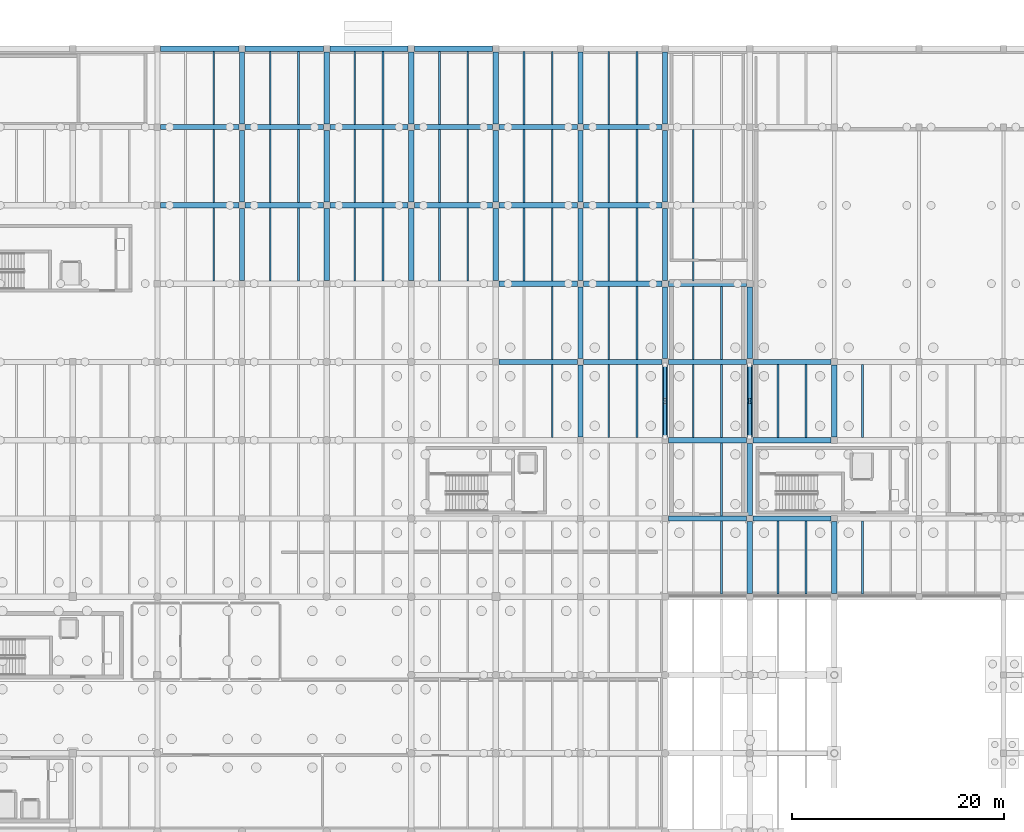
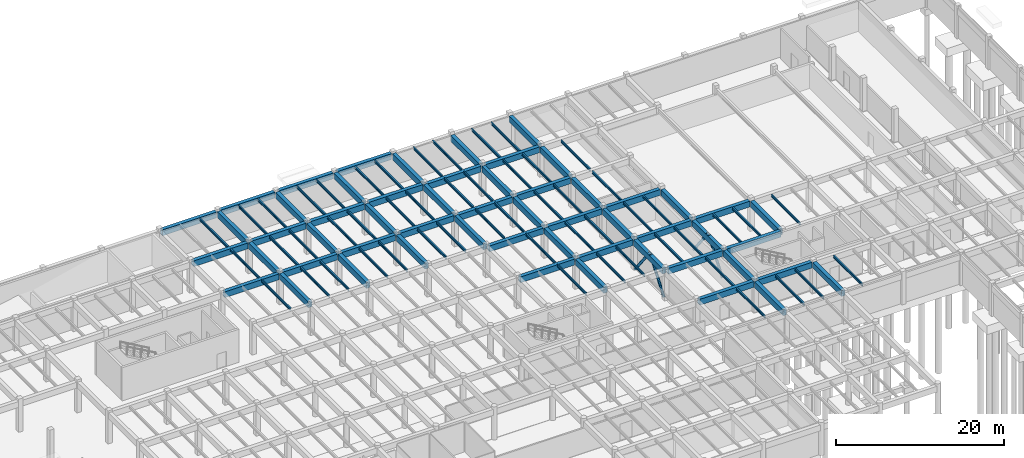
# One storey, part 13 of 40: 108 beams, 4 members.
"""IFC4 building model written with IfcOpenShell, lengths in metres."""

from ifc_helpers import new_model, si_unit, direction, frame, origin, origin_2d, place, context, subcontext, project, spatial, rectangle, hollow_circle, i_section, extrude, material, material_profile, profile_set, type_object, element, save


model = new_model("IFC4")

# Units and contexts
model_context = context("Model", 3, precision=1e-05, world=origin(), true_north=direction((0.0, 1.0)))
body_context = subcontext(model_context, "Body", "Model", "MODEL_VIEW")
ifc_project = project(units=[si_unit("LENGTHUNIT", "METRE"), si_unit("AREAUNIT", "SQUARE_METRE"), si_unit("VOLUMEUNIT", "CUBIC_METRE"), si_unit("PLANEANGLEUNIT", "RADIAN"), si_unit("MASSUNIT", "GRAM", prefix="KILO")], contexts=[model_context])

# Site, building, storey
site_placement = place(None, origin())
site = spatial("IfcSite", under=ifc_project, at=site_placement, CompositionType="ELEMENT")
building_placement = place(site_placement, origin())
building = spatial("IfcBuilding", under=site, at=building_placement, Name="Valkorina Park Police Headquarters", CompositionType="ELEMENT")
storey_placement = place(building_placement, frame((0.0, 0.0, -4.800048828125)))
storey = spatial("IfcBuildingStorey", under=building, at=storey_placement, Name="B01", CompositionType="ELEMENT", Elevation=-4.800048828125)

# Beams
ifc_material_1 = material(Name="Concrete C40/50", Category="concrete")
ifc_material_profile_1 = material_profile(ifc_material_1, rectangle(XDim=0.5, YDim=0.85009765625, at=origin_2d()), Name="RC BEAM 500x850")
ifc_profile_set_1 = profile_set([ifc_material_profile_1], Name="Concrete C40/50")
beam_type_1 = type_object("IfcBeamType", Name="BM-RC-500x850-EXT", PredefinedType="SPANDREL", material=ifc_profile_set_1)
for number, where, z_axis, x_axis, name in (
    (1, (57.10009765625, 111.0, 4.025146484375), (1.0, 0.0, 0.0), (0.0, 1.0, 0.0), "B01 Framing Beam 0198"),
    (2, (65.10009765625, 111.0, 4.094970703125), (1.0, 0.0, 0.0), (0.0, 1.0, 0.0), "B01 Framing Beam 0199"),
    (3, (73.10009765625, 111.0, 4.094970703125), (1.0, 0.0, 0.0), (0.0, 1.0, 0.0), "B01 Framing Beam 0200"),
    (4, (81.10009765625, 111.0, 4.094970703125), (1.0, 0.0, 0.0), (0.0, 1.0, 0.0), "B01 Framing Beam 0201"),
):
    element("IfcBeam", number, at=place(storey_placement, frame(where, z_axis=z_axis, x_axis=x_axis)), inside=storey, type_object=beam_type_1, Name=name, PredefinedType="SPANDREL", context=body_context, shape_type="SweptSolid", body=[
        extrude(rectangle(XDim=0.5, YDim=0.85009765625, at=origin_2d()), origin(), (0.0, 0.0, 1.0), 7.39990234375),
    ])
ifc_material_profile_2 = material_profile(ifc_material_1, rectangle(XDim=0.5, YDim=0.85009765625, at=origin_2d()), Name="RC BEAM 500x850")
ifc_profile_set_2 = profile_set([ifc_material_profile_2], Name="Concrete C40/50")
beam_type_2 = type_object("IfcBeamType", Name="BM-RC-500x850-INT", PredefinedType="BEAM", material=ifc_profile_set_2)
for number, where, z_axis, x_axis, name in (
    (5, (105.10009765625, 66.60009765625, 4.074951171875), (1.0, 0.0, 0.0), (0.0, 1.0, 0.0), "B01 Framing Beam 0112"),
    (6, (113.10009765625, 66.60009765625, 4.074951171875), (1.0, 0.0, 0.0), (0.0, 1.0, 0.0), "B01 Framing Beam 0113"),
    (7, (105.10009765625, 74.0, 4.074951171875), (1.0, 0.0, 0.0), (0.0, 1.0, 0.0), "B01 Framing Beam 0128"),
    (8, (113.10009765625, 74.0, 4.074951171875), (1.0, 0.0, 0.0), (0.0, 1.0, 0.0), "B01 Framing Beam 0129"),
    (9, (89.10009765625, 81.39990234375, 3.955078125), (1.0, 0.0, 0.0), (0.0, 1.0, 0.0), "B01 Framing Beam 0142"),
    (10, (97.10009765625, 81.39990234375, 3.955078125), (1.0, 0.0, 0.0), (0.0, 1.0, 0.0), "B01 Framing Beam 0143"),
    (11, (105.10009765625, 81.39990234375, 3.955078125), (1.0, 0.0, 0.0), (0.0, 1.0, 0.0), "B01 Framing Beam 0144"),
    (12, (113.10009765625, 81.39990234375, 3.955078125), (1.0, 0.0, 0.0), (0.0, 1.0, 0.0), "B01 Framing Beam 0145"),
    (13, (89.10009765625, 88.800048828125, 3.955078125), (1.0, 0.0, 0.0), (0.0, 1.0, 0.0), "B01 Framing Beam 0159"),
    (14, (97.10009765625, 88.800048828125, 3.955078125), (1.0, 0.0, 0.0), (0.0, 1.0, 0.0), "B01 Framing Beam 0160"),
    (15, (105.10009765625, 88.800048828125, 3.955078125), (1.0, 0.0, 0.0), (0.0, 1.0, 0.0), "B01 Framing Beam 0161"),
    (16, (57.10009765625, 96.199951171875, 4.025146484375), (1.0, 0.0, 0.0), (0.0, 1.0, 0.0), "B01 Framing Beam 0169"),
    (17, (65.10009765625, 96.199951171875, 4.094970703125), (1.0, 0.0, 0.0), (0.0, 1.0, 0.0), "B01 Framing Beam 0170"),
    (18, (73.10009765625, 96.199951171875, 4.094970703125), (1.0, 0.0, 0.0), (0.0, 1.0, 0.0), "B01 Framing Beam 0171"),
    (19, (81.10009765625, 96.199951171875, 4.094970703125), (1.0, 0.0, 0.0), (0.0, 1.0, 0.0), "B01 Framing Beam 0172"),
    (20, (89.10009765625, 96.199951171875, 3.955078125), (1.0, 0.0, 0.0), (0.0, 1.0, 0.0), "B01 Framing Beam 0173"),
    (21, (97.10009765625, 96.199951171875, 3.955078125), (1.0, 0.0, 0.0), (0.0, 1.0, 0.0), "B01 Framing Beam 0174"),
    (22, (57.10009765625, 103.60009765625, 4.025146484375), (1.0, 0.0, 0.0), (0.0, 1.0, 0.0), "B01 Framing Beam 0183"),
    (23, (65.10009765625, 103.60009765625, 4.094970703125), (1.0, 0.0, 0.0), (0.0, 1.0, 0.0), "B01 Framing Beam 0184"),
    (24, (73.10009765625, 103.60009765625, 4.094970703125), (1.0, 0.0, 0.0), (0.0, 1.0, 0.0), "B01 Framing Beam 0185"),
    (25, (81.10009765625, 103.60009765625, 4.094970703125), (1.0, 0.0, 0.0), (0.0, 1.0, 0.0), "B01 Framing Beam 0186"),
    (26, (89.10009765625, 103.60009765625, 3.955078125), (1.0, 0.0, 0.0), (0.0, 1.0, 0.0), "B01 Framing Beam 0187"),
    (27, (97.10009765625, 103.60009765625, 3.955078125), (1.0, 0.0, 0.0), (0.0, 1.0, 0.0), "B01 Framing Beam 0188"),
):
    element("IfcBeam", number, at=place(storey_placement, frame(where, z_axis=z_axis, x_axis=x_axis)), inside=storey, type_object=beam_type_2, Name=name, PredefinedType="BEAM", context=body_context, shape_type="SweptSolid", body=[
        extrude(rectangle(XDim=0.5, YDim=0.85009765625, at=origin_2d()), origin(), (0.0, 0.0, 1.0), 7.39990234375),
    ])
beam_1_placement = place(storey_placement, frame((64.800048828125, 89.10009765625, 4.094970703125), z_axis=(0.0, 1.0, 0.0), x_axis=(-1.0, 0.0, 0.0)))
element("IfcBeam", 28, at=beam_1_placement, inside=storey, type_object=beam_type_2, Name="B01 Framing Beam 0406", PredefinedType="BEAM", context=body_context, shape_type="SweptSolid", body=[
    extrude(rectangle(XDim=0.5, YDim=0.85009765625, at=origin_2d()), origin(), (0.0, 0.0, 1.0), 6.7998046875),
])
for number, where, z_axis, x_axis, name in (
    (29, (64.800048828125, 96.5, 4.094970703125), (0.0, 1.0, 0.0), (-1.0, 0.0, 0.0), "B01 Framing Beam 0409"),
    (30, (64.800048828125, 103.89990234375, 4.094970703125), (0.0, 1.0, 0.0), (-1.0, 0.0, 0.0), "B01 Framing Beam 0412"),
):
    element("IfcBeam", number, at=place(storey_placement, frame(where, z_axis=z_axis, x_axis=x_axis)), inside=storey, type_object=beam_type_2, Name=name, PredefinedType="BEAM", context=body_context, shape_type="SweptSolid", body=[
        extrude(rectangle(XDim=0.5, YDim=0.85009765625, at=origin_2d()), origin(), (0.0, 0.0, 1.0), 6.800048828125),
    ])
beam_2_placement = place(storey_placement, frame((72.800048828125, 89.10009765625, 4.094970703125), z_axis=(0.0, 1.0, 0.0), x_axis=(-1.0, 0.0, 0.0)))
element("IfcBeam", 31, at=beam_2_placement, inside=storey, type_object=beam_type_2, Name="B01 Framing Beam 0433", PredefinedType="BEAM", context=body_context, shape_type="SweptSolid", body=[
    extrude(rectangle(XDim=0.5, YDim=0.85009765625, at=origin_2d()), origin(), (0.0, 0.0, 1.0), 6.7998046875),
])
for number, where, z_axis, x_axis, name in (
    (32, (72.800048828125, 96.5, 4.094970703125), (0.0, 1.0, 0.0), (-1.0, 0.0, 0.0), "B01 Framing Beam 0436"),
    (33, (72.800048828125, 103.89990234375, 4.094970703125), (0.0, 1.0, 0.0), (-1.0, 0.0, 0.0), "B01 Framing Beam 0439"),
):
    element("IfcBeam", number, at=place(storey_placement, frame(where, z_axis=z_axis, x_axis=x_axis)), inside=storey, type_object=beam_type_2, Name=name, PredefinedType="BEAM", context=body_context, shape_type="SweptSolid", body=[
        extrude(rectangle(XDim=0.5, YDim=0.85009765625, at=origin_2d()), origin(), (0.0, 0.0, 1.0), 6.800048828125),
    ])
beam_3_placement = place(storey_placement, frame((80.800048828125, 89.10009765625, 4.094970703125), z_axis=(0.0, 1.0, 0.0), x_axis=(-1.0, 0.0, 0.0)))
element("IfcBeam", 34, at=beam_3_placement, inside=storey, type_object=beam_type_2, Name="B01 Framing Beam 0463", PredefinedType="BEAM", context=body_context, shape_type="SweptSolid", body=[
    extrude(rectangle(XDim=0.5, YDim=0.85009765625, at=origin_2d()), origin(), (0.0, 0.0, 1.0), 6.7998046875),
])
for number, where, z_axis, x_axis, name in (
    (35, (80.800048828125, 96.5, 4.094970703125), (0.0, 1.0, 0.0), (-1.0, 0.0, 0.0), "B01 Framing Beam 0466"),
    (36, (80.800048828125, 103.89990234375, 4.094970703125), (0.0, 1.0, 0.0), (-1.0, 0.0, 0.0), "B01 Framing Beam 0469"),
):
    element("IfcBeam", number, at=place(storey_placement, frame(where, z_axis=z_axis, x_axis=x_axis)), inside=storey, type_object=beam_type_2, Name=name, PredefinedType="BEAM", context=body_context, shape_type="SweptSolid", body=[
        extrude(rectangle(XDim=0.5, YDim=0.85009765625, at=origin_2d()), origin(), (0.0, 0.0, 1.0), 6.800048828125),
    ])
beam_4_placement = place(storey_placement, frame((88.800048828125, 89.10009765625, 4.094970703125), z_axis=(0.0, 1.0, 0.0), x_axis=(-1.0, 0.0, 0.0)))
element("IfcBeam", 37, at=beam_4_placement, inside=storey, type_object=beam_type_2, Name="B01 Framing Beam 0490", PredefinedType="BEAM", context=body_context, shape_type="SweptSolid", body=[
    extrude(rectangle(XDim=0.5, YDim=0.85009765625, at=origin_2d()), origin(), (0.0, 0.0, 1.0), 6.7998046875),
])
for number, where, z_axis, x_axis, name in (
    (38, (88.800048828125, 96.5, 4.094970703125), (0.0, 1.0, 0.0), (-1.0, 0.0, 0.0), "B01 Framing Beam 0493"),
    (39, (88.800048828125, 103.89990234375, 4.094970703125), (0.0, 1.0, 0.0), (-1.0, 0.0, 0.0), "B01 Framing Beam 0496"),
    (40, (96.800048828125, 74.300048828125, 3.955078125), (0.0, 1.0, 0.0), (-1.0, 0.0, 0.0), "B01 Framing Beam 0514"),
    (41, (96.800048828125, 81.699951171875, 3.955078125), (0.0, 1.0, 0.0), (-1.0, 0.0, 0.0), "B01 Framing Beam 0517"),
):
    element("IfcBeam", number, at=place(storey_placement, frame(where, z_axis=z_axis, x_axis=x_axis)), inside=storey, type_object=beam_type_2, Name=name, PredefinedType="BEAM", context=body_context, shape_type="SweptSolid", body=[
        extrude(rectangle(XDim=0.5, YDim=0.85009765625, at=origin_2d()), origin(), (0.0, 0.0, 1.0), 6.800048828125),
    ])
beam_5_placement = place(storey_placement, frame((96.800048828125, 89.10009765625, 3.955078125), z_axis=(0.0, 1.0, 0.0), x_axis=(-1.0, 0.0, 0.0)))
element("IfcBeam", 42, at=beam_5_placement, inside=storey, type_object=beam_type_2, Name="B01 Framing Beam 0520", PredefinedType="BEAM", context=body_context, shape_type="SweptSolid", body=[
    extrude(rectangle(XDim=0.5, YDim=0.85009765625, at=origin_2d()), origin(), (0.0, 0.0, 1.0), 6.7998046875),
])
for number, where, z_axis, x_axis, name in (
    (43, (96.800048828125, 96.5, 3.955078125), (0.0, 1.0, 0.0), (-1.0, 0.0, 0.0), "B01 Framing Beam 0523"),
    (44, (96.800048828125, 103.89990234375, 3.955078125), (0.0, 1.0, 0.0), (-1.0, 0.0, 0.0), "B01 Framing Beam 0526"),
    (45, (104.800048828125, 74.300048828125, 3.955078125), (0.0, 1.0, 0.0), (-1.0, 0.0, 0.0), "B01 Framing Beam 0544"),
    (46, (104.800048828125, 81.699951171875, 3.955078125), (0.0, 1.0, 0.0), (-1.0, 0.0, 0.0), "B01 Framing Beam 0547"),
):
    element("IfcBeam", number, at=place(storey_placement, frame(where, z_axis=z_axis, x_axis=x_axis)), inside=storey, type_object=beam_type_2, Name=name, PredefinedType="BEAM", context=body_context, shape_type="SweptSolid", body=[
        extrude(rectangle(XDim=0.5, YDim=0.85009765625, at=origin_2d()), origin(), (0.0, 0.0, 1.0), 6.800048828125),
    ])
beam_6_placement = place(storey_placement, frame((104.800048828125, 89.10009765625, 3.955078125), z_axis=(0.0, 1.0, 0.0), x_axis=(-1.0, 0.0, 0.0)))
element("IfcBeam", 47, at=beam_6_placement, inside=storey, type_object=beam_type_2, Name="B01 Framing Beam 0550", PredefinedType="BEAM", context=body_context, shape_type="SweptSolid", body=[
    extrude(rectangle(XDim=0.5, YDim=0.85009765625, at=origin_2d()), origin(), (0.0, 0.0, 1.0), 6.7998046875),
])
for number, where, z_axis, x_axis, name in (
    (48, (104.800048828125, 96.5, 3.955078125), (0.0, 1.0, 0.0), (-1.0, 0.0, 0.0), "B01 Framing Beam 0553"),
    (49, (104.800048828125, 103.89990234375, 3.955078125), (0.0, 1.0, 0.0), (-1.0, 0.0, 0.0), "B01 Framing Beam 0556"),
    (50, (112.800048828125, 59.5, 4.074951171875), (0.0, 1.0, 0.0), (-1.0, 0.0, 0.0), "B01 Framing Beam 0568"),
    (51, (112.800048828125, 66.89990234375, 4.074951171875), (0.0, 1.0, 0.0), (-1.0, 0.0, 0.0), "B01 Framing Beam 0571"),
    (52, (112.800048828125, 74.300048828125, 3.955078125), (0.0, 1.0, 0.0), (-1.0, 0.0, 0.0), "B01 Framing Beam 0572"),
    (53, (112.800048828125, 81.699951171875, 3.955078125), (0.0, 1.0, 0.0), (-1.0, 0.0, 0.0), "B01 Framing Beam 0575"),
    (54, (120.800048828125, 59.5, 4.074951171875), (0.0, 1.0, 0.0), (-1.0, 0.0, 0.0), "B01 Framing Beam 0584"),
    (55, (120.800048828125, 74.300048828125, 3.955078125), (0.0, 1.0, 0.0), (-1.0, 0.0, 0.0), "B01 Framing Beam 0587"),
):
    element("IfcBeam", number, at=place(storey_placement, frame(where, z_axis=z_axis, x_axis=x_axis)), inside=storey, type_object=beam_type_2, Name=name, PredefinedType="BEAM", context=body_context, shape_type="SweptSolid", body=[
        extrude(rectangle(XDim=0.5, YDim=0.85009765625, at=origin_2d()), origin(), (0.0, 0.0, 1.0), 6.800048828125),
    ])
ifc_material_2 = material(Name="Steel S355", Category="steel")
ifc_material_profile_3 = material_profile(ifc_material_2, i_section(OverallWidth=0.169921875, OverallDepth=0.360107421875, WebThickness=0.008056640625, FlangeThickness=0.0126953125, FilletRadius=0.01806640625, at=origin_2d()), Name="IPE 360")
ifc_profile_set_3 = profile_set([ifc_material_profile_3], Name="Steel S355")
beam_type_3 = type_object("IfcBeamType", Name="BM-S355-IPE360-JST", PredefinedType="JOIST", material=ifc_profile_set_3)
beam_7_placement = place(storey_placement, frame((62.13330078125, 89.050048828125, 4.340087890625), z_axis=(0.0, 1.0, 0.0), x_axis=(-1.0, 0.0, 0.0)))
element("IfcBeam", 56, at=beam_7_placement, inside=storey, type_object=beam_type_3, Name="B01 Framing Beam 0378", PredefinedType="JOIST", context=body_context, shape_type="SweptSolid", body=[
    extrude(i_section(OverallWidth=0.169921875, OverallDepth=0.360107421875, WebThickness=0.008056640625, FlangeThickness=0.0126953125, FilletRadius=0.01806640625, at=origin_2d()), origin(), (0.0, 0.0, 1.0), 6.89990234375),
])
beam_8_placement = place(storey_placement, frame((62.13330078125, 96.449951171875, 4.340087890625), z_axis=(0.0, 1.0, 0.0), x_axis=(-1.0, 0.0, 0.0)))
element("IfcBeam", 57, at=beam_8_placement, inside=storey, type_object=beam_type_3, Name="B01 Framing Beam 0381", PredefinedType="JOIST", context=body_context, shape_type="SweptSolid", body=[
    extrude(i_section(OverallWidth=0.169921875, OverallDepth=0.360107421875, WebThickness=0.008056640625, FlangeThickness=0.0126953125, FilletRadius=0.01806640625, at=origin_2d()), origin(), (0.0, 0.0, 1.0), 6.900146484375),
])
for number, where, z_axis, x_axis, name in (
    (58, (62.13330078125, 103.85009765625, 4.340087890625), (0.0, 1.0, 0.0), (-1.0, 0.0, 0.0), "B01 Framing Beam 0384"),
    (59, (67.466796875, 89.050048828125, 4.340087890625), (0.0, 1.0, 0.0), (-1.0, 0.0, 0.0), "B01 Framing Beam 0407"),
    (60, (70.13330078125, 89.050048828125, 4.340087890625), (0.0, 1.0, 0.0), (-1.0, 0.0, 0.0), "B01 Framing Beam 0408"),
):
    element("IfcBeam", number, at=place(storey_placement, frame(where, z_axis=z_axis, x_axis=x_axis)), inside=storey, type_object=beam_type_3, Name=name, PredefinedType="JOIST", context=body_context, shape_type="SweptSolid", body=[
        extrude(i_section(OverallWidth=0.169921875, OverallDepth=0.360107421875, WebThickness=0.008056640625, FlangeThickness=0.0126953125, FilletRadius=0.01806640625, at=origin_2d()), origin(), (0.0, 0.0, 1.0), 6.89990234375),
    ])
for number, where, z_axis, x_axis, name in (
    (61, (67.466796875, 96.449951171875, 4.340087890625), (0.0, 1.0, 0.0), (-1.0, 0.0, 0.0), "B01 Framing Beam 0410"),
    (62, (70.13330078125, 96.449951171875, 4.340087890625), (0.0, 1.0, 0.0), (-1.0, 0.0, 0.0), "B01 Framing Beam 0411"),
):
    element("IfcBeam", number, at=place(storey_placement, frame(where, z_axis=z_axis, x_axis=x_axis)), inside=storey, type_object=beam_type_3, Name=name, PredefinedType="JOIST", context=body_context, shape_type="SweptSolid", body=[
        extrude(i_section(OverallWidth=0.169921875, OverallDepth=0.360107421875, WebThickness=0.008056640625, FlangeThickness=0.0126953125, FilletRadius=0.01806640625, at=origin_2d()), origin(), (0.0, 0.0, 1.0), 6.900146484375),
    ])
for number, where, z_axis, x_axis, name in (
    (63, (67.466796875, 103.85009765625, 4.340087890625), (0.0, 1.0, 0.0), (-1.0, 0.0, 0.0), "B01 Framing Beam 0413"),
    (64, (70.13330078125, 103.85009765625, 4.340087890625), (0.0, 1.0, 0.0), (-1.0, 0.0, 0.0), "B01 Framing Beam 0414"),
    (65, (75.466796875, 89.050048828125, 4.340087890625), (0.0, 1.0, 0.0), (-1.0, 0.0, 0.0), "B01 Framing Beam 0434"),
    (66, (78.13330078125, 89.050048828125, 4.340087890625), (0.0, 1.0, 0.0), (-1.0, 0.0, 0.0), "B01 Framing Beam 0435"),
):
    element("IfcBeam", number, at=place(storey_placement, frame(where, z_axis=z_axis, x_axis=x_axis)), inside=storey, type_object=beam_type_3, Name=name, PredefinedType="JOIST", context=body_context, shape_type="SweptSolid", body=[
        extrude(i_section(OverallWidth=0.169921875, OverallDepth=0.360107421875, WebThickness=0.008056640625, FlangeThickness=0.0126953125, FilletRadius=0.01806640625, at=origin_2d()), origin(), (0.0, 0.0, 1.0), 6.89990234375),
    ])
for number, where, z_axis, x_axis, name in (
    (67, (75.466796875, 96.449951171875, 4.340087890625), (0.0, 1.0, 0.0), (-1.0, 0.0, 0.0), "B01 Framing Beam 0437"),
    (68, (78.13330078125, 96.449951171875, 4.340087890625), (0.0, 1.0, 0.0), (-1.0, 0.0, 0.0), "B01 Framing Beam 0438"),
):
    element("IfcBeam", number, at=place(storey_placement, frame(where, z_axis=z_axis, x_axis=x_axis)), inside=storey, type_object=beam_type_3, Name=name, PredefinedType="JOIST", context=body_context, shape_type="SweptSolid", body=[
        extrude(i_section(OverallWidth=0.169921875, OverallDepth=0.360107421875, WebThickness=0.008056640625, FlangeThickness=0.0126953125, FilletRadius=0.01806640625, at=origin_2d()), origin(), (0.0, 0.0, 1.0), 6.900146484375),
    ])
for number, where, z_axis, x_axis, name in (
    (69, (75.466796875, 103.85009765625, 4.340087890625), (0.0, 1.0, 0.0), (-1.0, 0.0, 0.0), "B01 Framing Beam 0440"),
    (70, (78.13330078125, 103.85009765625, 4.340087890625), (0.0, 1.0, 0.0), (-1.0, 0.0, 0.0), "B01 Framing Beam 0441"),
    (71, (83.466796875, 89.050048828125, 4.340087890625), (0.0, 1.0, 0.0), (-1.0, 0.0, 0.0), "B01 Framing Beam 0464"),
    (72, (86.13330078125, 89.050048828125, 4.340087890625), (0.0, 1.0, 0.0), (-1.0, 0.0, 0.0), "B01 Framing Beam 0465"),
):
    element("IfcBeam", number, at=place(storey_placement, frame(where, z_axis=z_axis, x_axis=x_axis)), inside=storey, type_object=beam_type_3, Name=name, PredefinedType="JOIST", context=body_context, shape_type="SweptSolid", body=[
        extrude(i_section(OverallWidth=0.169921875, OverallDepth=0.360107421875, WebThickness=0.008056640625, FlangeThickness=0.0126953125, FilletRadius=0.01806640625, at=origin_2d()), origin(), (0.0, 0.0, 1.0), 6.89990234375),
    ])
for number, where, z_axis, x_axis, name in (
    (73, (83.466796875, 96.449951171875, 4.340087890625), (0.0, 1.0, 0.0), (-1.0, 0.0, 0.0), "B01 Framing Beam 0467"),
    (74, (86.13330078125, 96.449951171875, 4.340087890625), (0.0, 1.0, 0.0), (-1.0, 0.0, 0.0), "B01 Framing Beam 0468"),
):
    element("IfcBeam", number, at=place(storey_placement, frame(where, z_axis=z_axis, x_axis=x_axis)), inside=storey, type_object=beam_type_3, Name=name, PredefinedType="JOIST", context=body_context, shape_type="SweptSolid", body=[
        extrude(i_section(OverallWidth=0.169921875, OverallDepth=0.360107421875, WebThickness=0.008056640625, FlangeThickness=0.0126953125, FilletRadius=0.01806640625, at=origin_2d()), origin(), (0.0, 0.0, 1.0), 6.900146484375),
    ])
for number, where, z_axis, x_axis, name in (
    (75, (83.466796875, 103.85009765625, 4.340087890625), (0.0, 1.0, 0.0), (-1.0, 0.0, 0.0), "B01 Framing Beam 0470"),
    (76, (86.13330078125, 103.85009765625, 4.340087890625), (0.0, 1.0, 0.0), (-1.0, 0.0, 0.0), "B01 Framing Beam 0471"),
    (77, (94.13330078125, 74.25, 4.320068359375), (0.0, 1.0, 0.0), (-1.0, 0.0, 0.0), "B01 Framing Beam 0486"),
):
    element("IfcBeam", number, at=place(storey_placement, frame(where, z_axis=z_axis, x_axis=x_axis)), inside=storey, type_object=beam_type_3, Name=name, PredefinedType="JOIST", context=body_context, shape_type="SweptSolid", body=[
        extrude(i_section(OverallWidth=0.169921875, OverallDepth=0.360107421875, WebThickness=0.008056640625, FlangeThickness=0.0126953125, FilletRadius=0.01806640625, at=origin_2d()), origin(), (0.0, 0.0, 1.0), 6.89990234375),
    ])
beam_9_placement = place(storey_placement, frame((94.13330078125, 81.64990234375, 4.320068359375), z_axis=(0.0, 1.0, 0.0), x_axis=(-1.0, 0.0, 0.0)))
element("IfcBeam", 78, at=beam_9_placement, inside=storey, type_object=beam_type_3, Name="B01 Framing Beam 0489", PredefinedType="JOIST", context=body_context, shape_type="SweptSolid", body=[
    extrude(i_section(OverallWidth=0.169921875, OverallDepth=0.360107421875, WebThickness=0.008056640625, FlangeThickness=0.0126953125, FilletRadius=0.01806640625, at=origin_2d()), origin(), (0.0, 0.0, 1.0), 6.900146484375),
])
for number, where, z_axis, x_axis, name in (
    (79, (91.466796875, 89.050048828125, 4.340087890625), (0.0, 1.0, 0.0), (-1.0, 0.0, 0.0), "B01 Framing Beam 0491"),
    (80, (94.13330078125, 89.050048828125, 4.340087890625), (0.0, 1.0, 0.0), (-1.0, 0.0, 0.0), "B01 Framing Beam 0492"),
):
    element("IfcBeam", number, at=place(storey_placement, frame(where, z_axis=z_axis, x_axis=x_axis)), inside=storey, type_object=beam_type_3, Name=name, PredefinedType="JOIST", context=body_context, shape_type="SweptSolid", body=[
        extrude(i_section(OverallWidth=0.169921875, OverallDepth=0.360107421875, WebThickness=0.008056640625, FlangeThickness=0.0126953125, FilletRadius=0.01806640625, at=origin_2d()), origin(), (0.0, 0.0, 1.0), 6.89990234375),
    ])
for number, where, z_axis, x_axis, name in (
    (81, (91.466796875, 96.449951171875, 4.340087890625), (0.0, 1.0, 0.0), (-1.0, 0.0, 0.0), "B01 Framing Beam 0494"),
    (82, (94.13330078125, 96.449951171875, 4.340087890625), (0.0, 1.0, 0.0), (-1.0, 0.0, 0.0), "B01 Framing Beam 0495"),
):
    element("IfcBeam", number, at=place(storey_placement, frame(where, z_axis=z_axis, x_axis=x_axis)), inside=storey, type_object=beam_type_3, Name=name, PredefinedType="JOIST", context=body_context, shape_type="SweptSolid", body=[
        extrude(i_section(OverallWidth=0.169921875, OverallDepth=0.360107421875, WebThickness=0.008056640625, FlangeThickness=0.0126953125, FilletRadius=0.01806640625, at=origin_2d()), origin(), (0.0, 0.0, 1.0), 6.900146484375),
    ])
for number, where, z_axis, x_axis, name in (
    (83, (91.466796875, 103.85009765625, 4.340087890625), (0.0, 1.0, 0.0), (-1.0, 0.0, 0.0), "B01 Framing Beam 0497"),
    (84, (94.13330078125, 103.85009765625, 4.340087890625), (0.0, 1.0, 0.0), (-1.0, 0.0, 0.0), "B01 Framing Beam 0498"),
    (85, (99.466796875, 74.25, 4.199951171875), (0.0, 1.0, 0.0), (-1.0, 0.0, 0.0), "B01 Framing Beam 0515"),
    (86, (102.13330078125, 74.25, 4.199951171875), (0.0, 1.0, 0.0), (-1.0, 0.0, 0.0), "B01 Framing Beam 0516"),
):
    element("IfcBeam", number, at=place(storey_placement, frame(where, z_axis=z_axis, x_axis=x_axis)), inside=storey, type_object=beam_type_3, Name=name, PredefinedType="JOIST", context=body_context, shape_type="SweptSolid", body=[
        extrude(i_section(OverallWidth=0.169921875, OverallDepth=0.360107421875, WebThickness=0.008056640625, FlangeThickness=0.0126953125, FilletRadius=0.01806640625, at=origin_2d()), origin(), (0.0, 0.0, 1.0), 6.89990234375),
    ])
for number, where, z_axis, x_axis, name in (
    (87, (99.466796875, 81.64990234375, 4.199951171875), (0.0, 1.0, 0.0), (-1.0, 0.0, 0.0), "B01 Framing Beam 0518"),
    (88, (102.13330078125, 81.64990234375, 4.199951171875), (0.0, 1.0, 0.0), (-1.0, 0.0, 0.0), "B01 Framing Beam 0519"),
):
    element("IfcBeam", number, at=place(storey_placement, frame(where, z_axis=z_axis, x_axis=x_axis)), inside=storey, type_object=beam_type_3, Name=name, PredefinedType="JOIST", context=body_context, shape_type="SweptSolid", body=[
        extrude(i_section(OverallWidth=0.169921875, OverallDepth=0.360107421875, WebThickness=0.008056640625, FlangeThickness=0.0126953125, FilletRadius=0.01806640625, at=origin_2d()), origin(), (0.0, 0.0, 1.0), 6.900146484375),
    ])
for number, where, z_axis, x_axis, name in (
    (89, (99.466796875, 89.050048828125, 4.199951171875), (0.0, 1.0, 0.0), (-1.0, 0.0, 0.0), "B01 Framing Beam 0521"),
    (90, (102.13330078125, 89.050048828125, 4.199951171875), (0.0, 1.0, 0.0), (-1.0, 0.0, 0.0), "B01 Framing Beam 0522"),
):
    element("IfcBeam", number, at=place(storey_placement, frame(where, z_axis=z_axis, x_axis=x_axis)), inside=storey, type_object=beam_type_3, Name=name, PredefinedType="JOIST", context=body_context, shape_type="SweptSolid", body=[
        extrude(i_section(OverallWidth=0.169921875, OverallDepth=0.360107421875, WebThickness=0.008056640625, FlangeThickness=0.0126953125, FilletRadius=0.01806640625, at=origin_2d()), origin(), (0.0, 0.0, 1.0), 6.89990234375),
    ])
for number, where, z_axis, x_axis, name in (
    (91, (99.466796875, 96.449951171875, 4.199951171875), (0.0, 1.0, 0.0), (-1.0, 0.0, 0.0), "B01 Framing Beam 0524"),
    (92, (102.13330078125, 96.449951171875, 4.199951171875), (0.0, 1.0, 0.0), (-1.0, 0.0, 0.0), "B01 Framing Beam 0525"),
):
    element("IfcBeam", number, at=place(storey_placement, frame(where, z_axis=z_axis, x_axis=x_axis)), inside=storey, type_object=beam_type_3, Name=name, PredefinedType="JOIST", context=body_context, shape_type="SweptSolid", body=[
        extrude(i_section(OverallWidth=0.169921875, OverallDepth=0.360107421875, WebThickness=0.008056640625, FlangeThickness=0.0126953125, FilletRadius=0.01806640625, at=origin_2d()), origin(), (0.0, 0.0, 1.0), 6.900146484375),
    ])
for number, where, z_axis, x_axis, name in (
    (93, (99.466796875, 103.85009765625, 4.199951171875), (0.0, 1.0, 0.0), (-1.0, 0.0, 0.0), "B01 Framing Beam 0527"),
    (94, (102.13330078125, 103.85009765625, 4.199951171875), (0.0, 1.0, 0.0), (-1.0, 0.0, 0.0), "B01 Framing Beam 0528"),
):
    element("IfcBeam", number, at=place(storey_placement, frame(where, z_axis=z_axis, x_axis=x_axis)), inside=storey, type_object=beam_type_3, Name=name, PredefinedType="JOIST", context=body_context, shape_type="SweptSolid", body=[
        extrude(i_section(OverallWidth=0.169921875, OverallDepth=0.360107421875, WebThickness=0.008056640625, FlangeThickness=0.0126953125, FilletRadius=0.01806640625, at=origin_2d()), origin(), (0.0, 0.0, 1.0), 6.89990234375),
    ])
beam_10_placement = place(storey_placement, frame((110.13330078125, 59.449951171875, 4.320068359375), z_axis=(0.0, 1.0, 0.0), x_axis=(-1.0, 0.0, 0.0)))
element("IfcBeam", 95, at=beam_10_placement, inside=storey, type_object=beam_type_3, Name="B01 Framing Beam 0540", PredefinedType="JOIST", context=body_context, shape_type="SweptSolid", body=[
    extrude(i_section(OverallWidth=0.169921875, OverallDepth=0.360107421875, WebThickness=0.008056640625, FlangeThickness=0.0126953125, FilletRadius=0.01806640625, at=origin_2d()), origin(), (0.0, 0.0, 1.0), 6.900146484375),
])
for number, where, z_axis, x_axis, name in (
    (96, (110.13330078125, 66.85009765625, 4.320068359375), (0.0, 1.0, 0.0), (-1.0, 0.0, 0.0), "B01 Framing Beam 0543"),
    (97, (107.466796875, 74.25, 4.199951171875), (0.0, 1.0, 0.0), (-1.0, 0.0, 0.0), "B01 Framing Beam 0545"),
    (98, (110.13330078125, 74.25, 4.199951171875), (0.0, 1.0, 0.0), (-1.0, 0.0, 0.0), "B01 Framing Beam 0546"),
):
    element("IfcBeam", number, at=place(storey_placement, frame(where, z_axis=z_axis, x_axis=x_axis)), inside=storey, type_object=beam_type_3, Name=name, PredefinedType="JOIST", context=body_context, shape_type="SweptSolid", body=[
        extrude(i_section(OverallWidth=0.169921875, OverallDepth=0.360107421875, WebThickness=0.008056640625, FlangeThickness=0.0126953125, FilletRadius=0.01806640625, at=origin_2d()), origin(), (0.0, 0.0, 1.0), 6.89990234375),
    ])
for number, where, z_axis, x_axis, name in (
    (99, (107.466796875, 81.64990234375, 4.199951171875), (0.0, 1.0, 0.0), (-1.0, 0.0, 0.0), "B01 Framing Beam 0548"),
    (100, (110.13330078125, 81.64990234375, 4.199951171875), (0.0, 1.0, 0.0), (-1.0, 0.0, 0.0), "B01 Framing Beam 0549"),
):
    element("IfcBeam", number, at=place(storey_placement, frame(where, z_axis=z_axis, x_axis=x_axis)), inside=storey, type_object=beam_type_3, Name=name, PredefinedType="JOIST", context=body_context, shape_type="SweptSolid", body=[
        extrude(i_section(OverallWidth=0.169921875, OverallDepth=0.360107421875, WebThickness=0.008056640625, FlangeThickness=0.0126953125, FilletRadius=0.01806640625, at=origin_2d()), origin(), (0.0, 0.0, 1.0), 6.900146484375),
    ])
beam_11_placement = place(storey_placement, frame((107.466796875, 89.050048828125, 4.199951171875), z_axis=(0.0, 1.0, 0.0), x_axis=(-1.0, 0.0, 0.0)))
element("IfcBeam", 101, at=beam_11_placement, inside=storey, type_object=beam_type_3, Name="B01 Framing Beam 0551", PredefinedType="JOIST", context=body_context, shape_type="SweptSolid", body=[
    extrude(i_section(OverallWidth=0.169921875, OverallDepth=0.360107421875, WebThickness=0.008056640625, FlangeThickness=0.0126953125, FilletRadius=0.01806640625, at=origin_2d()), origin(), (0.0, 0.0, 1.0), 6.89990234375),
])
for number, where, z_axis, x_axis, name in (
    (102, (107.466796875, 96.449951171875, 4.199951171875), (0.0, 1.0, 0.0), (-1.0, 0.0, 0.0), "B01 Framing Beam 0554"),
    (103, (115.466796875, 59.449951171875, 4.320068359375), (0.0, 1.0, 0.0), (-1.0, 0.0, 0.0), "B01 Framing Beam 0569"),
    (104, (118.13330078125, 59.449951171875, 4.320068359375), (0.0, 1.0, 0.0), (-1.0, 0.0, 0.0), "B01 Framing Beam 0570"),
):
    element("IfcBeam", number, at=place(storey_placement, frame(where, z_axis=z_axis, x_axis=x_axis)), inside=storey, type_object=beam_type_3, Name=name, PredefinedType="JOIST", context=body_context, shape_type="SweptSolid", body=[
        extrude(i_section(OverallWidth=0.169921875, OverallDepth=0.360107421875, WebThickness=0.008056640625, FlangeThickness=0.0126953125, FilletRadius=0.01806640625, at=origin_2d()), origin(), (0.0, 0.0, 1.0), 6.900146484375),
    ])
for number, where, z_axis, x_axis, name in (
    (105, (115.466796875, 74.25, 4.199951171875), (0.0, 1.0, 0.0), (-1.0, 0.0, 0.0), "B01 Framing Beam 0573"),
    (106, (118.13330078125, 74.25, 4.199951171875), (0.0, 1.0, 0.0), (-1.0, 0.0, 0.0), "B01 Framing Beam 0574"),
):
    element("IfcBeam", number, at=place(storey_placement, frame(where, z_axis=z_axis, x_axis=x_axis)), inside=storey, type_object=beam_type_3, Name=name, PredefinedType="JOIST", context=body_context, shape_type="SweptSolid", body=[
        extrude(i_section(OverallWidth=0.169921875, OverallDepth=0.360107421875, WebThickness=0.008056640625, FlangeThickness=0.0126953125, FilletRadius=0.01806640625, at=origin_2d()), origin(), (0.0, 0.0, 1.0), 6.89990234375),
    ])
beam_12_placement = place(storey_placement, frame((123.466796875, 59.449951171875, 4.320068359375), z_axis=(0.0, 1.0, 0.0), x_axis=(-1.0, 0.0, 0.0)))
element("IfcBeam", 107, at=beam_12_placement, inside=storey, type_object=beam_type_3, Name="B01 Framing Beam 0585", PredefinedType="JOIST", context=body_context, shape_type="SweptSolid", body=[
    extrude(i_section(OverallWidth=0.169921875, OverallDepth=0.360107421875, WebThickness=0.008056640625, FlangeThickness=0.0126953125, FilletRadius=0.01806640625, at=origin_2d()), origin(), (0.0, 0.0, 1.0), 6.900146484375),
])
beam_13_placement = place(storey_placement, frame((123.466796875, 74.25, 4.199951171875), z_axis=(0.0, 1.0, 0.0), x_axis=(-1.0, 0.0, 0.0)))
element("IfcBeam", 108, at=beam_13_placement, inside=storey, type_object=beam_type_3, Name="B01 Framing Beam 0588", PredefinedType="JOIST", context=body_context, shape_type="SweptSolid", body=[
    extrude(i_section(OverallWidth=0.169921875, OverallDepth=0.360107421875, WebThickness=0.008056640625, FlangeThickness=0.0126953125, FilletRadius=0.01806640625, at=origin_2d()), origin(), (0.0, 0.0, 1.0), 6.89990234375),
])

# Members
ifc_material_profile_4 = material_profile(ifc_material_2, hollow_circle(Radius=0.177734375, WallThickness=0.01611328125, at=origin_2d()), Name="CHS 355.6x16")
ifc_profile_set_4 = profile_set([ifc_material_profile_4], Name="Steel S355")
member_type = type_object("IfcMemberType", Name="MB-S355-CHS355-BRC", PredefinedType="BRACE", material=ifc_profile_set_4)
for number, where, z_axis, x_axis, name in (
    (109, (104.800048828125, 74.300048828125, 0.10009765625), (0.0, 0.610072789288, 0.792345374045), (-1.0, 0.0, 0.0), "B01 Concentric Chevron Brace 017"),
    (110, (104.800048828125, 81.10009765625, 0.10009765625), (0.0, -0.610072789288, 0.792345374045), (1.0, 0.0, 0.0), "B01 Concentric Chevron Brace 018"),
    (111, (112.800048828125, 74.300048828125, 0.10009765625), (0.0, 0.610072789288, 0.792345374045), (-1.0, 0.0, 0.0), "B01 Concentric Chevron Brace 027"),
    (112, (112.800048828125, 81.10009765625, 0.10009765625), (0.0, -0.610072789288, 0.792345374045), (1.0, 0.0, 0.0), "B01 Concentric Chevron Brace 028"),
):
    element("IfcMember", number, at=place(storey_placement, frame(where, z_axis=z_axis, x_axis=x_axis)), inside=storey, type_object=member_type, Name=name, PredefinedType="BRACE", context=body_context, shape_type="SweptSolid", body=[
        extrude(hollow_circle(Radius=0.177734375, WallThickness=0.01611328125, at=origin_2d()), origin(), (0.0, 0.0, 1.0), 5.37646484375),
    ])

save(model, "model.ifc")
